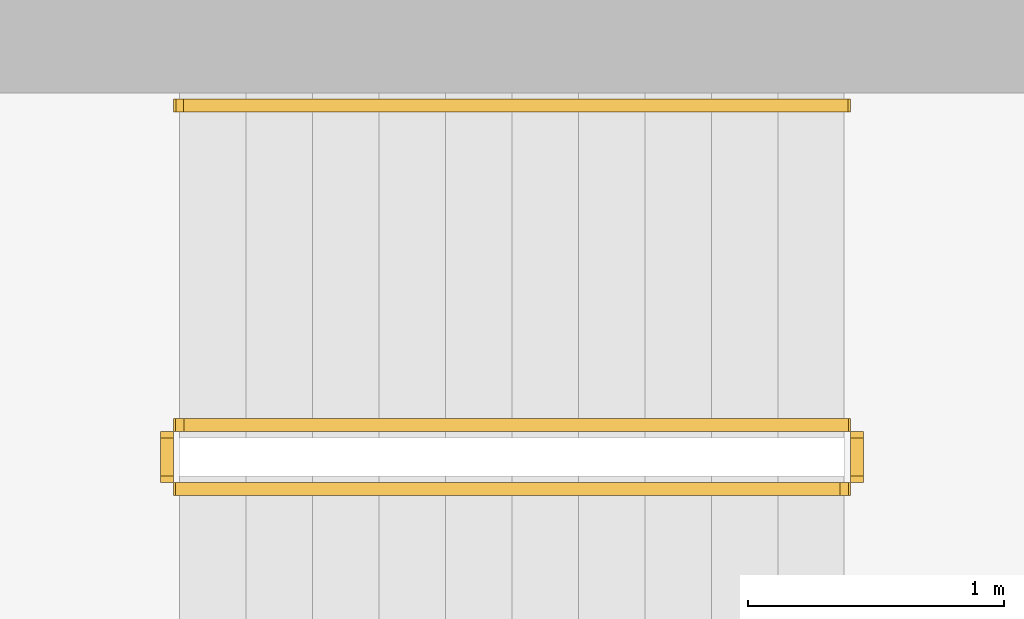
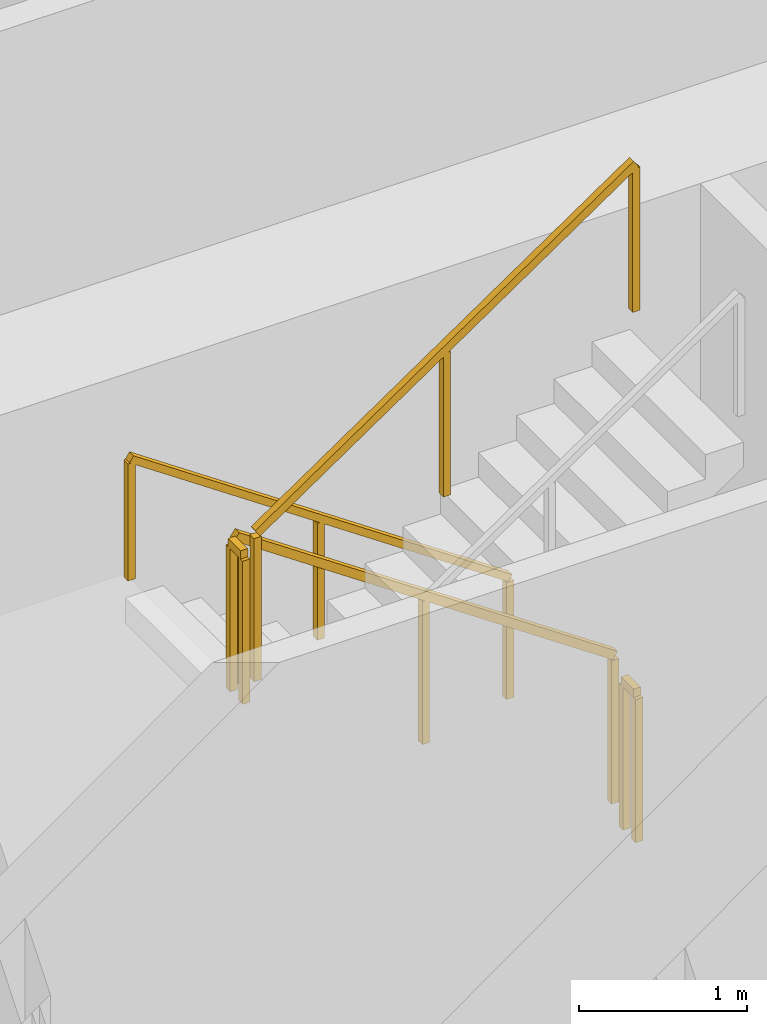
# One storey, part 13 of 14: 5 railings.
"""IFC4 building model written with IfcOpenShell, lengths in metres."""

from ifc_helpers import new_model, si_unit, direction, frame, origin, origin_2d, place, context, subcontext, project, spatial, rectangle, extrude, material, type_object, element, save


model = new_model("IFC4")

# Units and contexts
model_context = context("Model", 3, precision=1e-05, world=origin(), true_north=direction((0.0, 1.0)))
body_context = subcontext(model_context, "Body", "Model", "MODEL_VIEW")
ifc_project = project(units=[si_unit("LENGTHUNIT", "METRE"), si_unit("AREAUNIT", "SQUARE_METRE"), si_unit("VOLUMEUNIT", "CUBIC_METRE"), si_unit("PLANEANGLEUNIT", "RADIAN"), si_unit("MASSUNIT", "GRAM", prefix="KILO")], contexts=[model_context])

# Site, building, storey
site_placement = place(None, origin())
site = spatial("IfcSite", under=ifc_project, at=site_placement, CompositionType="ELEMENT")
building_placement = place(site_placement, origin())
building = spatial("IfcBuilding", under=site, at=building_placement, Name="Khepri Terraces", CompositionType="ELEMENT")
storey_placement = place(building_placement, frame((0.0, 0.0, 283.5)))
storey = spatial("IfcBuildingStorey", under=building, at=storey_placement, Name="L68", CompositionType="ELEMENT", Elevation=283.5)

# Railings
ifc_material = material(Name="Stainless steel 316", Category="steel")
railing_type_1 = type_object("IfcRailingType", Name="RL-CORE-GUARD", PredefinedType="GUARDRAIL", material=ifc_material)
railing_1_placement = place(storey_placement, frame((-0.25, 8.800048828125, 0.17724609375)))
element("IfcRailing", 1, at=railing_1_placement, inside=storey, type_object=railing_type_1, Name="L68 ST-3 stair guard 1", PredefinedType="GUARDRAIL", context=body_context, shape_type="SweptSolid", body=[
    extrude(rectangle(XDim=0.050048828125, YDim=0.06005859375, at=origin_2d()), frame((0.0, 0.0, 1.070068359375), z_axis=(-0.826240473404, 0.0, 0.563317565952), x_axis=(0.0, -1.0, 0.0)), (0.0, 0.0, 1.0), 3.14697265625),
    extrude(rectangle(XDim=0.050048828125, YDim=0.050048828125, at=origin_2d()), origin(), (0.0, 0.0, 1.0), 1.0400390625),
    extrude(rectangle(XDim=0.050048828125, YDim=0.050048828125, at=origin_2d()), frame((-1.300048828125, 0.0, 0.88623046875)), (0.0, 0.0, 1.0), 1.0400390625),
    extrude(rectangle(XDim=0.050048828125, YDim=0.050048828125, at=origin_2d()), frame((-2.60009765625, 0.0, 1.772705078125)), (0.0, 0.0, 1.0), 1.0400390625),
])
railing_2_placement = place(storey_placement, frame((-2.89990234375, 8.75, 1.949951171875)))
element("IfcRailing", 2, at=railing_2_placement, inside=storey, type_object=railing_type_1, Name="L68 ST-3 stair guard 2", PredefinedType="GUARDRAIL", context=body_context, shape_type="SweptSolid", body=[
    extrude(rectangle(XDim=0.050048828125, YDim=0.06005859375, at=origin_2d()), frame((0.0, 0.0, 1.070068359375), z_axis=(0.0, -1.0, 0.0), x_axis=(1.0, 0.0, 0.0)), (0.0, 0.0, 1.0), 0.14990234375),
    extrude(rectangle(XDim=0.050048828125, YDim=0.050048828125, at=origin_2d()), origin(), (0.0, 0.0, 1.0), 1.0400390625),
    extrude(rectangle(XDim=0.050048828125, YDim=0.050048828125, at=origin_2d()), frame((0.0, -0.14990234375, 0.0)), (0.0, 0.0, 1.0), 1.0400390625),
])
railing_3_placement = place(storey_placement, frame((-2.85009765625, 8.550048828125, 2.127197265625)))
element("IfcRailing", 3, at=railing_3_placement, inside=storey, type_object=railing_type_1, Name="L68 ST-3 stair guard 3", PredefinedType="GUARDRAIL", context=body_context, shape_type="SweptSolid", body=[
    extrude(rectangle(XDim=0.050048828125, YDim=0.06005859375, at=origin_2d()), frame((0.0, 0.0, 1.070068359375), z_axis=(0.826240473404, 0.0, 0.563317565952), x_axis=(0.0, 1.0, 0.0)), (0.0, 0.0, 1.0), 3.14697265625),
    extrude(rectangle(XDim=0.050048828125, YDim=0.050048828125, at=origin_2d()), origin(), (0.0, 0.0, 1.0), 1.0400390625),
    extrude(rectangle(XDim=0.050048828125, YDim=0.050048828125, at=origin_2d()), frame((1.300048828125, 0.0, 0.88623046875)), (0.0, 0.0, 1.0), 1.0400390625),
    extrude(rectangle(XDim=0.050048828125, YDim=0.050048828125, at=origin_2d()), frame((2.60009765625, 0.0, 1.772705078125)), (0.0, 0.0, 1.0), 1.0400390625),
])
railing_4_placement = place(storey_placement, frame((-0.199951171875, 8.75, 0.0)))
element("IfcRailing", 4, at=railing_4_placement, inside=storey, type_object=railing_type_1, Name="L68 ST-3 stair guard 4", PredefinedType="GUARDRAIL", context=body_context, shape_type="SweptSolid", body=[
    extrude(rectangle(XDim=0.050048828125, YDim=0.06005859375, at=origin_2d()), frame((0.0, 0.0, 1.070068359375), z_axis=(0.0, -1.0, 0.0), x_axis=(1.0, 0.0, 0.0)), (0.0, 0.0, 1.0), 0.14990234375),
    extrude(rectangle(XDim=0.050048828125, YDim=0.050048828125, at=origin_2d()), origin(), (0.0, 0.0, 1.0), 1.0400390625),
    extrude(rectangle(XDim=0.050048828125, YDim=0.050048828125, at=origin_2d()), frame((0.0, -0.14990234375, 0.0)), (0.0, 0.0, 1.0), 1.0400390625),
])
railing_type_2 = type_object("IfcRailingType", Name="RL-CORE-HANDRAIL", PredefinedType="HANDRAIL", material=ifc_material)
railing_5_placement = place(storey_placement, frame((-0.25, 10.050048828125, 0.17724609375)))
element("IfcRailing", 5, at=railing_5_placement, inside=storey, type_object=railing_type_2, Name="L68 ST-3 stair handrail 1", PredefinedType="HANDRAIL", context=body_context, shape_type="SweptSolid", body=[
    extrude(rectangle(XDim=0.050048828125, YDim=0.050048828125, at=origin_2d()), frame((0.0, 0.0, 0.875), z_axis=(-0.826240473404, 0.0, 0.563317565952), x_axis=(0.0, -1.0, 0.0)), (0.0, 0.0, 1.0), 3.14697265625),
    extrude(rectangle(XDim=0.050048828125, YDim=0.050048828125, at=origin_2d()), origin(), (0.0, 0.0, 1.0), 0.849853515625),
    extrude(rectangle(XDim=0.050048828125, YDim=0.050048828125, at=origin_2d()), frame((-1.300048828125, 0.0, 0.88623046875)), (0.0, 0.0, 1.0), 0.849853515625),
    extrude(rectangle(XDim=0.050048828125, YDim=0.050048828125, at=origin_2d()), frame((-2.60009765625, 0.0, 1.772705078125)), (0.0, 0.0, 1.0), 0.849853515625),
])

save(model, "model.ifc")
